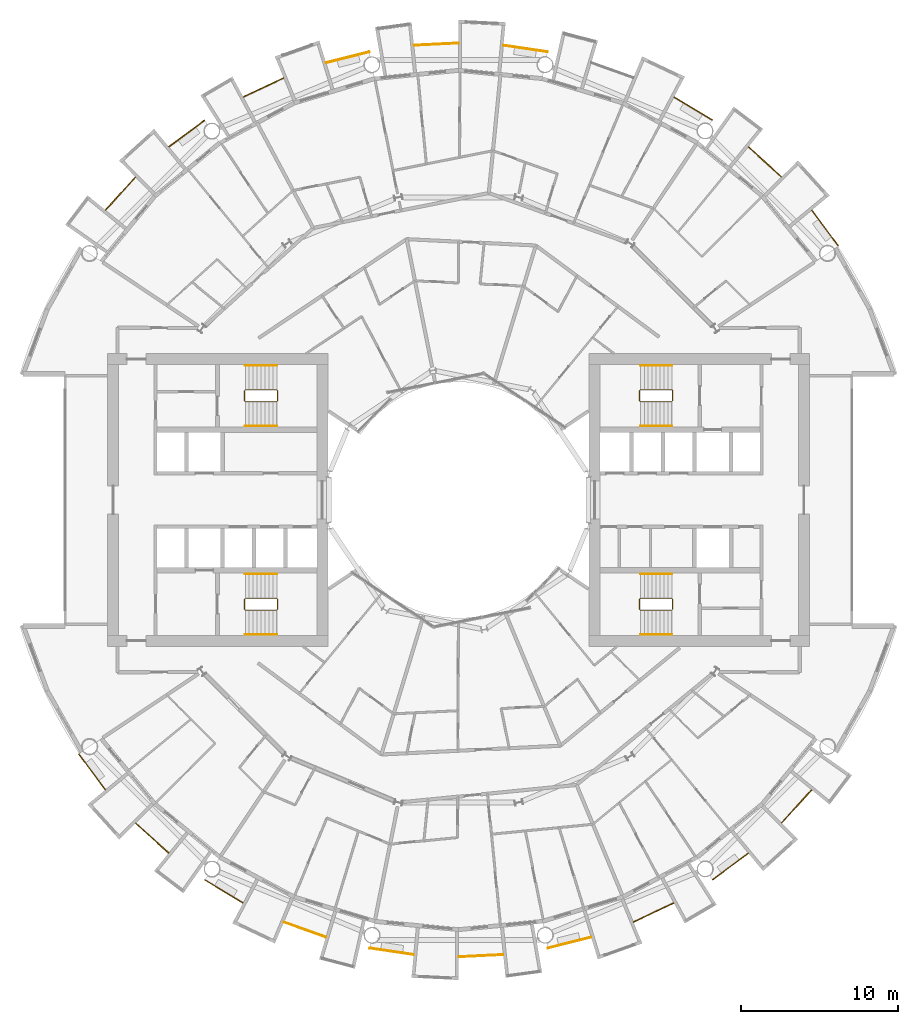
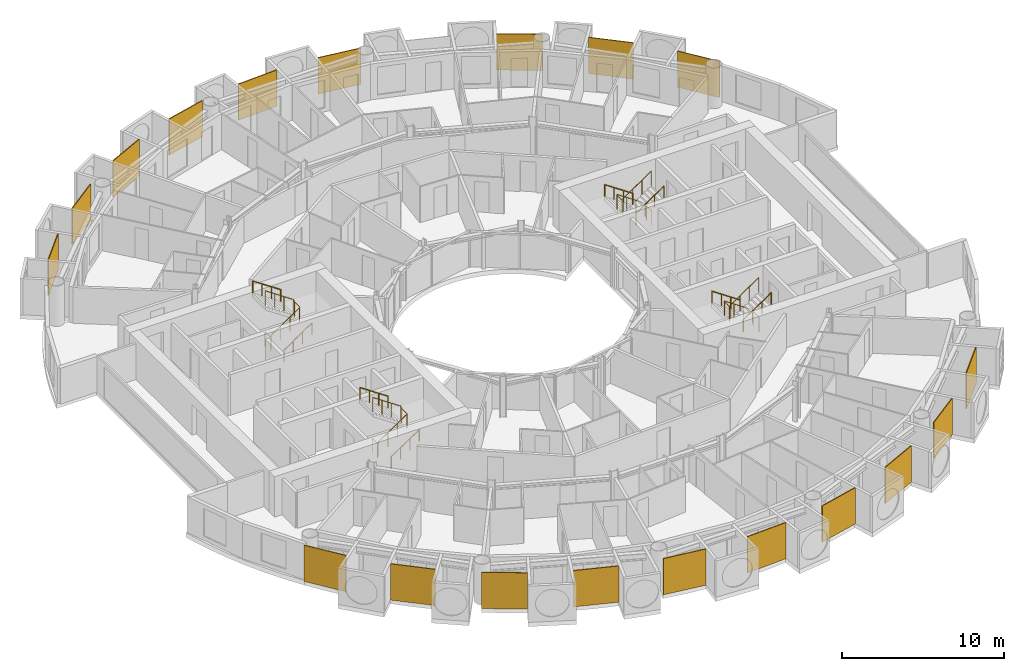
# One storey, part 25 of 26: 31 railings.
"""IFC4 building model written with IfcOpenShell, lengths in metres."""

from ifc_helpers import new_model, si_unit, direction, frame, origin, origin_2d, place, context, subcontext, project, spatial, polyline, circle, outline, extrude, material, layer, layer_set, type_object, element, save


model = new_model("IFC4")

# Units and contexts
model_context = context("Model", 3, precision=1e-05, world=origin(), true_north=direction((0.0, 1.0)))
body_context = subcontext(model_context, "Body", "Model", "MODEL_VIEW")
ifc_project = project(units=[si_unit("LENGTHUNIT", "METRE"), si_unit("AREAUNIT", "SQUARE_METRE"), si_unit("VOLUMEUNIT", "CUBIC_METRE"), si_unit("PLANEANGLEUNIT", "RADIAN"), si_unit("MASSUNIT", "GRAM", prefix="KILO")], contexts=[model_context])

# Site, building, storey
site_placement = place(None, origin())
site = spatial("IfcSite", under=ifc_project, at=site_placement, CompositionType="ELEMENT")
building_placement = place(site_placement, origin())
building = spatial("IfcBuilding", under=site, at=building_placement, Name="Maasbend Ring Residences", CompositionType="ELEMENT")
storey_placement = place(building_placement, frame((0.0, 0.0, 66.64990234375)))
storey = spatial("IfcBuildingStorey", under=building, at=storey_placement, Name="L18", CompositionType="ELEMENT", Elevation=66.64990234375)

# Railings
ifc_material_1 = material(Name="Pale anodised perforated aluminium", Category="aluminium")
ifc_layer = layer(ifc_material_1, 0.06005859375)
ifc_layer_set = layer_set([ifc_layer], Name="SCREEN-P")
railing_type_1 = type_object("IfcRailingType", Name="SCREEN-P", PredefinedType="GUARDRAIL", material=ifc_layer_set)
railing_1_placement = place(storey_placement, frame((0.0, 0.0, -0.02978515625)))
element("IfcRailing", 1, at=railing_1_placement, inside=storey, type_object=railing_type_1, Name="Perforated screen guard 1", PredefinedType="GUARDRAIL", context=body_context, shape_type="SweptSolid", body=[
    extrude(outline(polyline([(24.113037109375, 16.112060546875), (22.4169921875, 18.39697265625), (22.465087890625, 18.43310546875), (24.160888671875, 16.14697265625), (24.113037109375, 16.112060546875)])), origin(), (0.0, 0.0, 1.0), 2.72998046875),
])
railing_2_placement = place(storey_placement, frame((0.0, 0.0, -0.02978515625)))
element("IfcRailing", 2, at=railing_2_placement, inside=storey, type_object=railing_type_1, Name="Perforated screen guard 2", PredefinedType="GUARDRAIL", context=body_context, shape_type="SweptSolid", body=[
    extrude(outline(polyline([(20.506103515625, 20.506103515625), (18.39697265625, 22.4169921875), (18.43798828125, 22.4619140625), (20.5458984375, 20.551025390625), (20.506103515625, 20.506103515625)])), origin(), (0.0, 0.0, 1.0), 2.72998046875),
])
railing_3_placement = place(storey_placement, frame((0.0, 0.0, -0.02978515625)))
element("IfcRailing", 3, at=railing_3_placement, inside=storey, type_object=railing_type_1, Name="Perforated screen guard 3", PredefinedType="GUARDRAIL", context=body_context, shape_type="SweptSolid", body=[
    extrude(outline(polyline([(16.112060546875, 24.113037109375), (13.6708984375, 25.575927734375), (13.700927734375, 25.626953125), (16.14208984375, 24.1640625), (16.112060546875, 24.113037109375)])), origin(), (0.0, 0.0, 1.0), 2.72998046875),
])
railing_4_placement = place(storey_placement, frame((0.0, 0.0, -0.02978515625)))
element("IfcRailing", 4, at=railing_4_placement, inside=storey, type_object=railing_type_1, Name="Perforated screen guard 5", PredefinedType="GUARDRAIL", context=body_context, shape_type="SweptSolid", body=[
    extrude(outline(polyline([(5.657958984375, 28.443115234375), (2.842041015625, 28.860107421875), (2.85107421875, 28.919921875), (5.666015625, 28.501953125), (5.657958984375, 28.443115234375)])), origin(), (0.0, 0.0, 1.0), 2.72998046875),
])
railing_5_placement = place(storey_placement, frame((0.0, 0.0, -0.02978515625)))
element("IfcRailing", 5, at=railing_5_placement, inside=storey, type_object=railing_type_1, Name="Perforated screen guard 6", PredefinedType="GUARDRAIL", context=body_context, shape_type="SweptSolid", body=[
    extrude(outline(polyline([(0.0, 29.0), (-2.842041015625, 28.860107421875), (-2.844970703125, 28.919921875), (-0.0029296875, 29.06005859375), (0.0, 29.0)])), origin(), (0.0, 0.0, 1.0), 2.72998046875),
])
railing_6_placement = place(storey_placement, frame((0.0, 0.0, -0.02978515625)))
element("IfcRailing", 6, at=railing_6_placement, inside=storey, type_object=railing_type_1, Name="Perforated screen guard 7", PredefinedType="GUARDRAIL", context=body_context, shape_type="SweptSolid", body=[
    extrude(outline(polyline([(-5.657958984375, 28.443115234375), (-8.41796875, 27.7509765625), (-8.43310546875, 27.80908203125), (-5.672119140625, 28.5009765625), (-5.657958984375, 28.443115234375)])), origin(), (0.0, 0.0, 1.0), 2.72998046875),
])
railing_7_placement = place(storey_placement, frame((0.0, 0.0, -0.02978515625)))
element("IfcRailing", 7, at=railing_7_placement, inside=storey, type_object=railing_type_1, Name="Perforated screen guard 8", PredefinedType="GUARDRAIL", context=body_context, shape_type="SweptSolid", body=[
    extrude(outline(polyline([(-11.097900390625, 26.79296875), (-13.6708984375, 25.575927734375), (-13.696044921875, 25.6298828125), (-11.123046875, 26.846923828125), (-11.097900390625, 26.79296875)])), origin(), (0.0, 0.0, 1.0), 2.72998046875),
])
railing_8_placement = place(storey_placement, frame((0.0, 0.0, -0.02978515625)))
element("IfcRailing", 8, at=railing_8_placement, inside=storey, type_object=railing_type_1, Name="Perforated screen guard 9", PredefinedType="GUARDRAIL", context=body_context, shape_type="SweptSolid", body=[
    extrude(outline(polyline([(-16.112060546875, 24.113037109375), (-18.39697265625, 22.4169921875), (-18.43310546875, 22.465087890625), (-16.14697265625, 24.160888671875), (-16.112060546875, 24.113037109375)])), origin(), (0.0, 0.0, 1.0), 2.72998046875),
])
railing_9_placement = place(storey_placement, frame((0.0, 0.0, -0.02978515625)))
element("IfcRailing", 9, at=railing_9_placement, inside=storey, type_object=railing_type_1, Name="Perforated screen guard 10", PredefinedType="GUARDRAIL", context=body_context, shape_type="SweptSolid", body=[
    extrude(outline(polyline([(-20.506103515625, 20.506103515625), (-22.4169921875, 18.39697265625), (-22.4619140625, 18.43798828125), (-20.551025390625, 20.5458984375), (-20.506103515625, 20.506103515625)])), origin(), (0.0, 0.0, 1.0), 2.72998046875),
])
railing_10_placement = place(storey_placement, frame((0.0, 0.0, -0.02978515625)))
element("IfcRailing", 10, at=railing_10_placement, inside=storey, type_object=railing_type_1, Name="Perforated screen guard 1", PredefinedType="GUARDRAIL", context=body_context, shape_type="SweptSolid", body=[
    extrude(outline(polyline([(-24.113037109375, -16.112060546875), (-22.4169921875, -18.39697265625), (-22.465087890625, -18.43310546875), (-24.160888671875, -16.14697265625), (-24.113037109375, -16.112060546875)])), origin(), (0.0, 0.0, 1.0), 2.72998046875),
])
railing_11_placement = place(storey_placement, frame((0.0, 0.0, -0.02978515625)))
element("IfcRailing", 11, at=railing_11_placement, inside=storey, type_object=railing_type_1, Name="Perforated screen guard 2", PredefinedType="GUARDRAIL", context=body_context, shape_type="SweptSolid", body=[
    extrude(outline(polyline([(-20.506103515625, -20.506103515625), (-18.39697265625, -22.4169921875), (-18.43798828125, -22.4619140625), (-20.5458984375, -20.551025390625), (-20.506103515625, -20.506103515625)])), origin(), (0.0, 0.0, 1.0), 2.72998046875),
])
railing_12_placement = place(storey_placement, frame((0.0, 0.0, -0.02978515625)))
element("IfcRailing", 12, at=railing_12_placement, inside=storey, type_object=railing_type_1, Name="Perforated screen guard 3", PredefinedType="GUARDRAIL", context=body_context, shape_type="SweptSolid", body=[
    extrude(outline(polyline([(-16.112060546875, -24.113037109375), (-13.6708984375, -25.575927734375), (-13.700927734375, -25.626953125), (-16.14208984375, -24.1640625), (-16.112060546875, -24.113037109375)])), origin(), (0.0, 0.0, 1.0), 2.72998046875),
])
railing_13_placement = place(storey_placement, frame((0.0, 0.0, -0.02978515625)))
element("IfcRailing", 13, at=railing_13_placement, inside=storey, type_object=railing_type_1, Name="Perforated screen guard 4", PredefinedType="GUARDRAIL", context=body_context, shape_type="SweptSolid", body=[
    extrude(outline(polyline([(-11.097900390625, -26.79296875), (-8.41796875, -27.7509765625), (-8.43798828125, -27.80810546875), (-11.117919921875, -26.84912109375), (-11.097900390625, -26.79296875)])), origin(), (0.0, 0.0, 1.0), 2.72998046875),
])
railing_14_placement = place(storey_placement, frame((0.0, 0.0, -0.02978515625)))
element("IfcRailing", 14, at=railing_14_placement, inside=storey, type_object=railing_type_1, Name="Perforated screen guard 5", PredefinedType="GUARDRAIL", context=body_context, shape_type="SweptSolid", body=[
    extrude(outline(polyline([(-5.657958984375, -28.443115234375), (-2.842041015625, -28.860107421875), (-2.85107421875, -28.919921875), (-5.666015625, -28.501953125), (-5.657958984375, -28.443115234375)])), origin(), (0.0, 0.0, 1.0), 2.72998046875),
])
railing_15_placement = place(storey_placement, frame((0.0, 0.0, -0.02978515625)))
element("IfcRailing", 15, at=railing_15_placement, inside=storey, type_object=railing_type_1, Name="Perforated screen guard 6", PredefinedType="GUARDRAIL", context=body_context, shape_type="SweptSolid", body=[
    extrude(outline(polyline([(0.0, -29.0), (2.842041015625, -28.860107421875), (2.844970703125, -28.919921875), (0.0029296875, -29.06005859375), (0.0, -29.0)])), origin(), (0.0, 0.0, 1.0), 2.72998046875),
])
railing_16_placement = place(storey_placement, frame((0.0, 0.0, -0.02978515625)))
element("IfcRailing", 16, at=railing_16_placement, inside=storey, type_object=railing_type_1, Name="Perforated screen guard 7", PredefinedType="GUARDRAIL", context=body_context, shape_type="SweptSolid", body=[
    extrude(outline(polyline([(5.657958984375, -28.443115234375), (8.41796875, -27.7509765625), (8.43310546875, -27.80908203125), (5.672119140625, -28.5009765625), (5.657958984375, -28.443115234375)])), origin(), (0.0, 0.0, 1.0), 2.72998046875),
])
railing_17_placement = place(storey_placement, frame((0.0, 0.0, -0.02978515625)))
element("IfcRailing", 17, at=railing_17_placement, inside=storey, type_object=railing_type_1, Name="Perforated screen guard 8", PredefinedType="GUARDRAIL", context=body_context, shape_type="SweptSolid", body=[
    extrude(outline(polyline([(11.097900390625, -26.79296875), (13.6708984375, -25.575927734375), (13.696044921875, -25.6298828125), (11.123046875, -26.846923828125), (11.097900390625, -26.79296875)])), origin(), (0.0, 0.0, 1.0), 2.72998046875),
])
railing_18_placement = place(storey_placement, frame((0.0, 0.0, -0.02978515625)))
element("IfcRailing", 18, at=railing_18_placement, inside=storey, type_object=railing_type_1, Name="Perforated screen guard 9", PredefinedType="GUARDRAIL", context=body_context, shape_type="SweptSolid", body=[
    extrude(outline(polyline([(16.112060546875, -24.113037109375), (18.39697265625, -22.4169921875), (18.43310546875, -22.465087890625), (16.14697265625, -24.160888671875), (16.112060546875, -24.113037109375)])), origin(), (0.0, 0.0, 1.0), 2.72998046875),
])
railing_19_placement = place(storey_placement, frame((0.0, 0.0, -0.02978515625)))
element("IfcRailing", 19, at=railing_19_placement, inside=storey, type_object=railing_type_1, Name="Perforated screen guard 10", PredefinedType="GUARDRAIL", context=body_context, shape_type="SweptSolid", body=[
    extrude(outline(polyline([(20.506103515625, -20.506103515625), (22.4169921875, -18.39697265625), (22.4619140625, -18.43798828125), (20.551025390625, -20.5458984375), (20.506103515625, -20.506103515625)])), origin(), (0.0, 0.0, 1.0), 2.72998046875),
])
ifc_material_2 = material(Name="Stainless steel 316", Category="steel")
railing_type_2 = type_object("IfcRailingType", Name="STAIR GUARD 1100", PredefinedType="GUARDRAIL", material=ifc_material_2)
railing_20_placement = place(storey_placement, frame((13.60009765625, 6.300048828125, 0.0)))
element("IfcRailing", 20, at=railing_20_placement, inside=storey, type_object=railing_type_2, Name="L18 ST-E1 stair guard 1", PredefinedType="GUARDRAIL", context=body_context, shape_type="SweptSolid", body=[
    extrude(circle(Radius=0.02392578125, at=origin_2d()), frame((0.0, 0.0, 1.076171875), z_axis=(0.0, 1.0, 0.0), x_axis=(-1.0, 0.0, 0.0)), (0.0, 0.0, 1.0), 0.64990234375),
    extrude(circle(Radius=0.02392578125, at=origin_2d()), frame((0.0, 0.64990234375, 1.076171875), z_axis=(-0.272562526181, 0.272562526181, 0.92272386912), x_axis=(-0.707106781187, -0.707106781187, 0.0)), (0.0, 0.0, 1.0), 0.18359375),
    extrude(circle(Radius=0.02392578125, at=origin_2d()), frame((-0.050048828125, 0.699951171875, 1.24560546875), z_axis=(-0.827750655447, 0.0, 0.561096116906), x_axis=(0.0, -1.0, 0.0)), (0.0, 0.0, 1.0), 2.416259765625),
    extrude(circle(Radius=0.02392578125, at=origin_2d()), frame((-2.050048828125, 0.699951171875, 2.60107421875), z_axis=(-0.707106781187, -0.707106781187, 0.0), x_axis=(0.707106781187, -0.707106781187, 0.0)), (0.0, 0.0, 1.0), 0.07080078125),
    extrude(circle(Radius=0.02392578125, at=origin_2d()), frame((-2.10009765625, 0.64990234375, 2.60107421875), z_axis=(0.0, -1.0, 0.0), x_axis=(1.0, 0.0, 0.0)), (0.0, 0.0, 1.0), 0.64990234375),
    extrude(circle(Radius=0.02392578125, at=origin_2d()), frame((-2.10009765625, 0.0, 2.60107421875), z_axis=(0.272562526181, -0.272562526181, 0.92272386912), x_axis=(0.707106781187, 0.707106781187, 0.0)), (0.0, 0.0, 1.0), 0.18359375),
    extrude(circle(Radius=0.02392578125, at=origin_2d()), frame((-2.050048828125, -0.050048828125, 2.7705078125), z_axis=(0.827797584762, 0.0, 0.561026878735), x_axis=(0.0, 1.0, 0.0)), (0.0, 0.0, 1.0), 2.416015625),
    extrude(circle(Radius=0.02099609375, at=origin_2d()), origin(), (0.0, 0.0, 1.0), 1.052001953125),
    extrude(circle(Radius=0.02099609375, at=origin_2d()), frame((0.0, 0.64990234375, 0.0)), (0.0, 0.0, 1.0), 1.052001953125),
    extrude(circle(Radius=0.02099609375, at=origin_2d()), frame((-0.050048828125, 0.699951171875, 0.16943359375)), (0.0, 0.0, 1.0), 1.052001953125),
    extrude(circle(Radius=0.02099609375, at=origin_2d()), frame((-0.716796875, 0.699951171875, 0.621337890625)), (0.0, 0.0, 1.0), 1.052001953125),
    extrude(circle(Radius=0.02099609375, at=origin_2d()), frame((-1.38330078125, 0.699951171875, 1.0732421875)), (0.0, 0.0, 1.0), 1.052001953125),
    extrude(circle(Radius=0.02099609375, at=origin_2d()), frame((-2.050048828125, 0.699951171875, 1.525146484375)), (0.0, 0.0, 1.0), 1.052001953125),
    extrude(circle(Radius=0.02099609375, at=origin_2d()), frame((-2.10009765625, 0.64990234375, 1.525146484375)), (0.0, 0.0, 1.0), 1.052001953125),
    extrude(circle(Radius=0.02099609375, at=origin_2d()), frame((-2.10009765625, 0.0, 1.525146484375)), (0.0, 0.0, 1.0), 1.052001953125),
    extrude(circle(Radius=0.02099609375, at=origin_2d()), frame((-2.050048828125, -0.050048828125, 1.694580078125)), (0.0, 0.0, 1.0), 1.052001953125),
    extrude(circle(Radius=0.02099609375, at=origin_2d()), frame((-1.38330078125, -0.050048828125, 2.146484375)), (0.0, 0.0, 1.0), 1.052001953125),
    extrude(circle(Radius=0.02099609375, at=origin_2d()), frame((-0.716796875, -0.050048828125, 2.59814453125)), (0.0, 0.0, 1.0), 1.052001953125),
    extrude(circle(Radius=0.02099609375, at=origin_2d()), frame((-0.050048828125, -0.050048828125, 3.050048828125)), (0.0, 0.0, 1.0), 1.052001953125),
])
railing_21_placement = place(storey_placement, frame((13.60009765625, -6.949951171875, 0.0)))
element("IfcRailing", 21, at=railing_21_placement, inside=storey, type_object=railing_type_2, Name="L18 ST-E2 stair guard 1", PredefinedType="GUARDRAIL", context=body_context, shape_type="SweptSolid", body=[
    extrude(circle(Radius=0.02392578125, at=origin_2d()), frame((0.0, 0.0, 1.076171875), z_axis=(0.0, 1.0, 0.0), x_axis=(-1.0, 0.0, 0.0)), (0.0, 0.0, 1.0), 0.64990234375),
    extrude(circle(Radius=0.02392578125, at=origin_2d()), frame((0.0, 0.64990234375, 1.076171875), z_axis=(-0.272562526181, 0.272562526181, 0.92272386912), x_axis=(-0.707106781187, -0.707106781187, 0.0)), (0.0, 0.0, 1.0), 0.18359375),
    extrude(circle(Radius=0.02392578125, at=origin_2d()), frame((-0.050048828125, 0.699951171875, 1.24560546875), z_axis=(-0.827750655447, 0.0, 0.561096116906), x_axis=(0.0, -1.0, 0.0)), (0.0, 0.0, 1.0), 2.416259765625),
    extrude(circle(Radius=0.02392578125, at=origin_2d()), frame((-2.050048828125, 0.699951171875, 2.60107421875), z_axis=(-0.707106781187, -0.707106781187, 0.0), x_axis=(0.707106781187, -0.707106781187, 0.0)), (0.0, 0.0, 1.0), 0.07080078125),
    extrude(circle(Radius=0.02392578125, at=origin_2d()), frame((-2.10009765625, 0.64990234375, 2.60107421875), z_axis=(0.0, -1.0, 0.0), x_axis=(1.0, 0.0, 0.0)), (0.0, 0.0, 1.0), 0.64990234375),
    extrude(circle(Radius=0.02392578125, at=origin_2d()), frame((-2.10009765625, 0.0, 2.60107421875), z_axis=(0.272562526181, -0.272562526181, 0.92272386912), x_axis=(0.707106781187, 0.707106781187, 0.0)), (0.0, 0.0, 1.0), 0.18359375),
    extrude(circle(Radius=0.02392578125, at=origin_2d()), frame((-2.050048828125, -0.050048828125, 2.7705078125), z_axis=(0.827797584762, 0.0, 0.561026878735), x_axis=(0.0, 1.0, 0.0)), (0.0, 0.0, 1.0), 2.416015625),
    extrude(circle(Radius=0.02099609375, at=origin_2d()), origin(), (0.0, 0.0, 1.0), 1.052001953125),
    extrude(circle(Radius=0.02099609375, at=origin_2d()), frame((0.0, 0.64990234375, 0.0)), (0.0, 0.0, 1.0), 1.052001953125),
    extrude(circle(Radius=0.02099609375, at=origin_2d()), frame((-0.050048828125, 0.699951171875, 0.16943359375)), (0.0, 0.0, 1.0), 1.052001953125),
    extrude(circle(Radius=0.02099609375, at=origin_2d()), frame((-0.716796875, 0.699951171875, 0.621337890625)), (0.0, 0.0, 1.0), 1.052001953125),
    extrude(circle(Radius=0.02099609375, at=origin_2d()), frame((-1.38330078125, 0.699951171875, 1.0732421875)), (0.0, 0.0, 1.0), 1.052001953125),
    extrude(circle(Radius=0.02099609375, at=origin_2d()), frame((-2.050048828125, 0.699951171875, 1.525146484375)), (0.0, 0.0, 1.0), 1.052001953125),
    extrude(circle(Radius=0.02099609375, at=origin_2d()), frame((-2.10009765625, 0.64990234375, 1.525146484375)), (0.0, 0.0, 1.0), 1.052001953125),
    extrude(circle(Radius=0.02099609375, at=origin_2d()), frame((-2.10009765625, 0.0, 1.525146484375)), (0.0, 0.0, 1.0), 1.052001953125),
    extrude(circle(Radius=0.02099609375, at=origin_2d()), frame((-2.050048828125, -0.050048828125, 1.694580078125)), (0.0, 0.0, 1.0), 1.052001953125),
    extrude(circle(Radius=0.02099609375, at=origin_2d()), frame((-1.38330078125, -0.050048828125, 2.146484375)), (0.0, 0.0, 1.0), 1.052001953125),
    extrude(circle(Radius=0.02099609375, at=origin_2d()), frame((-0.716796875, -0.050048828125, 2.59814453125)), (0.0, 0.0, 1.0), 1.052001953125),
    extrude(circle(Radius=0.02099609375, at=origin_2d()), frame((-0.050048828125, -0.050048828125, 3.050048828125)), (0.0, 0.0, 1.0), 1.052001953125),
])
railing_22_placement = place(storey_placement, frame((-13.60009765625, -6.300048828125, 0.0)))
element("IfcRailing", 22, at=railing_22_placement, inside=storey, type_object=railing_type_2, Name="L18 ST-W1 stair guard 1", PredefinedType="GUARDRAIL", context=body_context, shape_type="SweptSolid", body=[
    extrude(circle(Radius=0.02392578125, at=origin_2d()), frame((0.0, 0.0, 1.076171875), z_axis=(0.0, -1.0, 0.0), x_axis=(1.0, 0.0, 0.0)), (0.0, 0.0, 1.0), 0.64990234375),
    extrude(circle(Radius=0.02392578125, at=origin_2d()), frame((0.0, -0.64990234375, 1.076171875), z_axis=(0.272562526181, -0.272562526181, 0.92272386912), x_axis=(0.707106781187, 0.707106781187, 0.0)), (0.0, 0.0, 1.0), 0.18359375),
    extrude(circle(Radius=0.02392578125, at=origin_2d()), frame((0.050048828125, -0.699951171875, 1.24560546875), z_axis=(0.827750655447, 0.0, 0.561096116906), x_axis=(0.0, 1.0, 0.0)), (0.0, 0.0, 1.0), 2.416259765625),
    extrude(circle(Radius=0.02392578125, at=origin_2d()), frame((2.050048828125, -0.699951171875, 2.60107421875), z_axis=(0.707106781187, 0.707106781187, 0.0), x_axis=(-0.707106781187, 0.707106781187, 0.0)), (0.0, 0.0, 1.0), 0.07080078125),
    extrude(circle(Radius=0.02392578125, at=origin_2d()), frame((2.10009765625, -0.64990234375, 2.60107421875), z_axis=(0.0, 1.0, 0.0), x_axis=(-1.0, 0.0, 0.0)), (0.0, 0.0, 1.0), 0.64990234375),
    extrude(circle(Radius=0.02392578125, at=origin_2d()), frame((2.10009765625, 0.0, 2.60107421875), z_axis=(-0.272562526181, 0.272562526181, 0.92272386912), x_axis=(-0.707106781187, -0.707106781187, 0.0)), (0.0, 0.0, 1.0), 0.18359375),
    extrude(circle(Radius=0.02392578125, at=origin_2d()), frame((2.050048828125, 0.050048828125, 2.7705078125), z_axis=(-0.827797584762, 0.0, 0.561026878735), x_axis=(0.0, -1.0, 0.0)), (0.0, 0.0, 1.0), 2.416015625),
    extrude(circle(Radius=0.02099609375, at=origin_2d()), origin(), (0.0, 0.0, 1.0), 1.052001953125),
    extrude(circle(Radius=0.02099609375, at=origin_2d()), frame((0.0, -0.64990234375, 0.0)), (0.0, 0.0, 1.0), 1.052001953125),
    extrude(circle(Radius=0.02099609375, at=origin_2d()), frame((0.050048828125, -0.699951171875, 0.16943359375)), (0.0, 0.0, 1.0), 1.052001953125),
    extrude(circle(Radius=0.02099609375, at=origin_2d()), frame((0.716796875, -0.699951171875, 0.621337890625)), (0.0, 0.0, 1.0), 1.052001953125),
    extrude(circle(Radius=0.02099609375, at=origin_2d()), frame((1.38330078125, -0.699951171875, 1.0732421875)), (0.0, 0.0, 1.0), 1.052001953125),
    extrude(circle(Radius=0.02099609375, at=origin_2d()), frame((2.050048828125, -0.699951171875, 1.525146484375)), (0.0, 0.0, 1.0), 1.052001953125),
    extrude(circle(Radius=0.02099609375, at=origin_2d()), frame((2.10009765625, -0.64990234375, 1.525146484375)), (0.0, 0.0, 1.0), 1.052001953125),
    extrude(circle(Radius=0.02099609375, at=origin_2d()), frame((2.10009765625, 0.0, 1.525146484375)), (0.0, 0.0, 1.0), 1.052001953125),
    extrude(circle(Radius=0.02099609375, at=origin_2d()), frame((2.050048828125, 0.050048828125, 1.694580078125)), (0.0, 0.0, 1.0), 1.052001953125),
    extrude(circle(Radius=0.02099609375, at=origin_2d()), frame((1.38330078125, 0.050048828125, 2.146484375)), (0.0, 0.0, 1.0), 1.052001953125),
    extrude(circle(Radius=0.02099609375, at=origin_2d()), frame((0.716796875, 0.050048828125, 2.59814453125)), (0.0, 0.0, 1.0), 1.052001953125),
    extrude(circle(Radius=0.02099609375, at=origin_2d()), frame((0.050048828125, 0.050048828125, 3.050048828125)), (0.0, 0.0, 1.0), 1.052001953125),
])
railing_23_placement = place(storey_placement, frame((-13.60009765625, 6.949951171875, 0.0)))
element("IfcRailing", 23, at=railing_23_placement, inside=storey, type_object=railing_type_2, Name="L18 ST-W2 stair guard 1", PredefinedType="GUARDRAIL", context=body_context, shape_type="SweptSolid", body=[
    extrude(circle(Radius=0.02392578125, at=origin_2d()), frame((0.0, 0.0, 1.076171875), z_axis=(0.0, -1.0, 0.0), x_axis=(1.0, 0.0, 0.0)), (0.0, 0.0, 1.0), 0.64990234375),
    extrude(circle(Radius=0.02392578125, at=origin_2d()), frame((0.0, -0.64990234375, 1.076171875), z_axis=(0.272562526181, -0.272562526181, 0.92272386912), x_axis=(0.707106781187, 0.707106781187, 0.0)), (0.0, 0.0, 1.0), 0.18359375),
    extrude(circle(Radius=0.02392578125, at=origin_2d()), frame((0.050048828125, -0.699951171875, 1.24560546875), z_axis=(0.827750655447, 0.0, 0.561096116906), x_axis=(0.0, 1.0, 0.0)), (0.0, 0.0, 1.0), 2.416259765625),
    extrude(circle(Radius=0.02392578125, at=origin_2d()), frame((2.050048828125, -0.699951171875, 2.60107421875), z_axis=(0.707106781187, 0.707106781187, 0.0), x_axis=(-0.707106781187, 0.707106781187, 0.0)), (0.0, 0.0, 1.0), 0.07080078125),
    extrude(circle(Radius=0.02392578125, at=origin_2d()), frame((2.10009765625, -0.64990234375, 2.60107421875), z_axis=(0.0, 1.0, 0.0), x_axis=(-1.0, 0.0, 0.0)), (0.0, 0.0, 1.0), 0.64990234375),
    extrude(circle(Radius=0.02392578125, at=origin_2d()), frame((2.10009765625, 0.0, 2.60107421875), z_axis=(-0.272562526181, 0.272562526181, 0.92272386912), x_axis=(-0.707106781187, -0.707106781187, 0.0)), (0.0, 0.0, 1.0), 0.18359375),
    extrude(circle(Radius=0.02392578125, at=origin_2d()), frame((2.050048828125, 0.050048828125, 2.7705078125), z_axis=(-0.827797584762, 0.0, 0.561026878735), x_axis=(0.0, -1.0, 0.0)), (0.0, 0.0, 1.0), 2.416015625),
    extrude(circle(Radius=0.02099609375, at=origin_2d()), origin(), (0.0, 0.0, 1.0), 1.052001953125),
    extrude(circle(Radius=0.02099609375, at=origin_2d()), frame((0.0, -0.64990234375, 0.0)), (0.0, 0.0, 1.0), 1.052001953125),
    extrude(circle(Radius=0.02099609375, at=origin_2d()), frame((0.050048828125, -0.699951171875, 0.16943359375)), (0.0, 0.0, 1.0), 1.052001953125),
    extrude(circle(Radius=0.02099609375, at=origin_2d()), frame((0.716796875, -0.699951171875, 0.621337890625)), (0.0, 0.0, 1.0), 1.052001953125),
    extrude(circle(Radius=0.02099609375, at=origin_2d()), frame((1.38330078125, -0.699951171875, 1.0732421875)), (0.0, 0.0, 1.0), 1.052001953125),
    extrude(circle(Radius=0.02099609375, at=origin_2d()), frame((2.050048828125, -0.699951171875, 1.525146484375)), (0.0, 0.0, 1.0), 1.052001953125),
    extrude(circle(Radius=0.02099609375, at=origin_2d()), frame((2.10009765625, -0.64990234375, 1.525146484375)), (0.0, 0.0, 1.0), 1.052001953125),
    extrude(circle(Radius=0.02099609375, at=origin_2d()), frame((2.10009765625, 0.0, 1.525146484375)), (0.0, 0.0, 1.0), 1.052001953125),
    extrude(circle(Radius=0.02099609375, at=origin_2d()), frame((2.050048828125, 0.050048828125, 1.694580078125)), (0.0, 0.0, 1.0), 1.052001953125),
    extrude(circle(Radius=0.02099609375, at=origin_2d()), frame((1.38330078125, 0.050048828125, 2.146484375)), (0.0, 0.0, 1.0), 1.052001953125),
    extrude(circle(Radius=0.02099609375, at=origin_2d()), frame((0.716796875, 0.050048828125, 2.59814453125)), (0.0, 0.0, 1.0), 1.052001953125),
    extrude(circle(Radius=0.02099609375, at=origin_2d()), frame((0.050048828125, 0.050048828125, 3.050048828125)), (0.0, 0.0, 1.0), 1.052001953125),
])
ifc_material_3 = material(Name="Stainless steel 316", Category="steel")
railing_type_3 = type_object("IfcRailingType", Name="STAIR HANDRAIL 900", PredefinedType="HANDRAIL", material=ifc_material_3)
railing_24_placement = place(storey_placement, frame((13.550048828125, 8.550048828125, 0.16943359375)))
element("IfcRailing", 24, at=railing_24_placement, inside=storey, type_object=railing_type_3, Name="L18 ST-E1 stair handrail 1", PredefinedType="HANDRAIL", context=body_context, shape_type="SweptSolid", body=[
    extrude(circle(Radius=0.02392578125, at=origin_2d()), frame((0.0, 0.0, 0.8759765625), z_axis=(-0.827750655447, 0.0, 0.561096116906), x_axis=(0.0, -1.0, 0.0)), (0.0, 0.0, 1.0), 2.416259765625),
    extrude(circle(Radius=0.02099609375, at=origin_2d()), origin(), (0.0, 0.0, 1.0), 0.851806640625),
    extrude(circle(Radius=0.02099609375, at=origin_2d()), frame((-0.666748046875, 0.0, 0.451904296875)), (0.0, 0.0, 1.0), 0.851806640625),
    extrude(circle(Radius=0.02099609375, at=origin_2d()), frame((-1.333251953125, 0.0, 0.90380859375)), (0.0, 0.0, 1.0), 0.851806640625),
    extrude(circle(Radius=0.02099609375, at=origin_2d()), frame((-2.0, 0.0, 1.355712890625)), (0.0, 0.0, 1.0), 0.851806640625),
])
railing_25_placement = place(storey_placement, frame((11.550048828125, 4.699951171875, 1.694580078125)))
element("IfcRailing", 25, at=railing_25_placement, inside=storey, type_object=railing_type_3, Name="L18 ST-E1 stair handrail 2", PredefinedType="HANDRAIL", context=body_context, shape_type="SweptSolid", body=[
    extrude(circle(Radius=0.02392578125, at=origin_2d()), frame((0.0, 0.0, 0.8759765625), z_axis=(0.827797584762, 0.0, 0.561026878735), x_axis=(0.0, 1.0, 0.0)), (0.0, 0.0, 1.0), 2.416015625),
    extrude(circle(Radius=0.02099609375, at=origin_2d()), origin(), (0.0, 0.0, 1.0), 0.851806640625),
    extrude(circle(Radius=0.02099609375, at=origin_2d()), frame((0.666748046875, 0.0, 0.451904296875)), (0.0, 0.0, 1.0), 0.851806640625),
    extrude(circle(Radius=0.02099609375, at=origin_2d()), frame((1.333251953125, 0.0, 0.903564453125)), (0.0, 0.0, 1.0), 0.851806640625),
    extrude(circle(Radius=0.02099609375, at=origin_2d()), frame((2.0, 0.0, 1.35546875)), (0.0, 0.0, 1.0), 0.851806640625),
])
railing_26_placement = place(storey_placement, frame((13.550048828125, -4.699951171875, 0.16943359375)))
element("IfcRailing", 26, at=railing_26_placement, inside=storey, type_object=railing_type_3, Name="L18 ST-E2 stair handrail 1", PredefinedType="HANDRAIL", context=body_context, shape_type="SweptSolid", body=[
    extrude(circle(Radius=0.02392578125, at=origin_2d()), frame((0.0, 0.0, 0.8759765625), z_axis=(-0.827750655447, 0.0, 0.561096116906), x_axis=(0.0, -1.0, 0.0)), (0.0, 0.0, 1.0), 2.416259765625),
    extrude(circle(Radius=0.02099609375, at=origin_2d()), origin(), (0.0, 0.0, 1.0), 0.851806640625),
    extrude(circle(Radius=0.02099609375, at=origin_2d()), frame((-0.666748046875, 0.0, 0.451904296875)), (0.0, 0.0, 1.0), 0.851806640625),
    extrude(circle(Radius=0.02099609375, at=origin_2d()), frame((-1.333251953125, 0.0, 0.90380859375)), (0.0, 0.0, 1.0), 0.851806640625),
    extrude(circle(Radius=0.02099609375, at=origin_2d()), frame((-2.0, 0.0, 1.355712890625)), (0.0, 0.0, 1.0), 0.851806640625),
])
railing_27_placement = place(storey_placement, frame((11.550048828125, -8.550048828125, 1.694580078125)))
element("IfcRailing", 27, at=railing_27_placement, inside=storey, type_object=railing_type_3, Name="L18 ST-E2 stair handrail 2", PredefinedType="HANDRAIL", context=body_context, shape_type="SweptSolid", body=[
    extrude(circle(Radius=0.02392578125, at=origin_2d()), frame((0.0, 0.0, 0.8759765625), z_axis=(0.827797584762, 0.0, 0.561026878735), x_axis=(0.0, 1.0, 0.0)), (0.0, 0.0, 1.0), 2.416015625),
    extrude(circle(Radius=0.02099609375, at=origin_2d()), origin(), (0.0, 0.0, 1.0), 0.851806640625),
    extrude(circle(Radius=0.02099609375, at=origin_2d()), frame((0.666748046875, 0.0, 0.451904296875)), (0.0, 0.0, 1.0), 0.851806640625),
    extrude(circle(Radius=0.02099609375, at=origin_2d()), frame((1.333251953125, 0.0, 0.903564453125)), (0.0, 0.0, 1.0), 0.851806640625),
    extrude(circle(Radius=0.02099609375, at=origin_2d()), frame((2.0, 0.0, 1.35546875)), (0.0, 0.0, 1.0), 0.851806640625),
])
railing_28_placement = place(storey_placement, frame((-13.550048828125, -8.550048828125, 0.16943359375)))
element("IfcRailing", 28, at=railing_28_placement, inside=storey, type_object=railing_type_3, Name="L18 ST-W1 stair handrail 1", PredefinedType="HANDRAIL", context=body_context, shape_type="SweptSolid", body=[
    extrude(circle(Radius=0.02392578125, at=origin_2d()), frame((0.0, 0.0, 0.8759765625), z_axis=(0.827750655447, 0.0, 0.561096116906), x_axis=(0.0, 1.0, 0.0)), (0.0, 0.0, 1.0), 2.416259765625),
    extrude(circle(Radius=0.02099609375, at=origin_2d()), origin(), (0.0, 0.0, 1.0), 0.851806640625),
    extrude(circle(Radius=0.02099609375, at=origin_2d()), frame((0.666748046875, 0.0, 0.451904296875)), (0.0, 0.0, 1.0), 0.851806640625),
    extrude(circle(Radius=0.02099609375, at=origin_2d()), frame((1.333251953125, 0.0, 0.90380859375)), (0.0, 0.0, 1.0), 0.851806640625),
    extrude(circle(Radius=0.02099609375, at=origin_2d()), frame((2.0, 0.0, 1.355712890625)), (0.0, 0.0, 1.0), 0.851806640625),
])
railing_29_placement = place(storey_placement, frame((-11.550048828125, -4.699951171875, 1.694580078125)))
element("IfcRailing", 29, at=railing_29_placement, inside=storey, type_object=railing_type_3, Name="L18 ST-W1 stair handrail 2", PredefinedType="HANDRAIL", context=body_context, shape_type="SweptSolid", body=[
    extrude(circle(Radius=0.02392578125, at=origin_2d()), frame((0.0, 0.0, 0.8759765625), z_axis=(-0.827797584762, 0.0, 0.561026878735), x_axis=(0.0, -1.0, 0.0)), (0.0, 0.0, 1.0), 2.416015625),
    extrude(circle(Radius=0.02099609375, at=origin_2d()), origin(), (0.0, 0.0, 1.0), 0.851806640625),
    extrude(circle(Radius=0.02099609375, at=origin_2d()), frame((-0.666748046875, 0.0, 0.451904296875)), (0.0, 0.0, 1.0), 0.851806640625),
    extrude(circle(Radius=0.02099609375, at=origin_2d()), frame((-1.333251953125, 0.0, 0.903564453125)), (0.0, 0.0, 1.0), 0.851806640625),
    extrude(circle(Radius=0.02099609375, at=origin_2d()), frame((-2.0, 0.0, 1.35546875)), (0.0, 0.0, 1.0), 0.851806640625),
])
railing_30_placement = place(storey_placement, frame((-13.550048828125, 4.699951171875, 0.16943359375)))
element("IfcRailing", 30, at=railing_30_placement, inside=storey, type_object=railing_type_3, Name="L18 ST-W2 stair handrail 1", PredefinedType="HANDRAIL", context=body_context, shape_type="SweptSolid", body=[
    extrude(circle(Radius=0.02392578125, at=origin_2d()), frame((0.0, 0.0, 0.8759765625), z_axis=(0.827750655447, 0.0, 0.561096116906), x_axis=(0.0, 1.0, 0.0)), (0.0, 0.0, 1.0), 2.416259765625),
    extrude(circle(Radius=0.02099609375, at=origin_2d()), origin(), (0.0, 0.0, 1.0), 0.851806640625),
    extrude(circle(Radius=0.02099609375, at=origin_2d()), frame((0.666748046875, 0.0, 0.451904296875)), (0.0, 0.0, 1.0), 0.851806640625),
    extrude(circle(Radius=0.02099609375, at=origin_2d()), frame((1.333251953125, 0.0, 0.90380859375)), (0.0, 0.0, 1.0), 0.851806640625),
    extrude(circle(Radius=0.02099609375, at=origin_2d()), frame((2.0, 0.0, 1.355712890625)), (0.0, 0.0, 1.0), 0.851806640625),
])
railing_31_placement = place(storey_placement, frame((-11.550048828125, 8.550048828125, 1.694580078125)))
element("IfcRailing", 31, at=railing_31_placement, inside=storey, type_object=railing_type_3, Name="L18 ST-W2 stair handrail 2", PredefinedType="HANDRAIL", context=body_context, shape_type="SweptSolid", body=[
    extrude(circle(Radius=0.02392578125, at=origin_2d()), frame((0.0, 0.0, 0.8759765625), z_axis=(-0.827797584762, 0.0, 0.561026878735), x_axis=(0.0, -1.0, 0.0)), (0.0, 0.0, 1.0), 2.416015625),
    extrude(circle(Radius=0.02099609375, at=origin_2d()), origin(), (0.0, 0.0, 1.0), 0.851806640625),
    extrude(circle(Radius=0.02099609375, at=origin_2d()), frame((-0.666748046875, 0.0, 0.451904296875)), (0.0, 0.0, 1.0), 0.851806640625),
    extrude(circle(Radius=0.02099609375, at=origin_2d()), frame((-1.333251953125, 0.0, 0.903564453125)), (0.0, 0.0, 1.0), 0.851806640625),
    extrude(circle(Radius=0.02099609375, at=origin_2d()), frame((-2.0, 0.0, 1.35546875)), (0.0, 0.0, 1.0), 0.851806640625),
])

save(model, "model.ifc")
